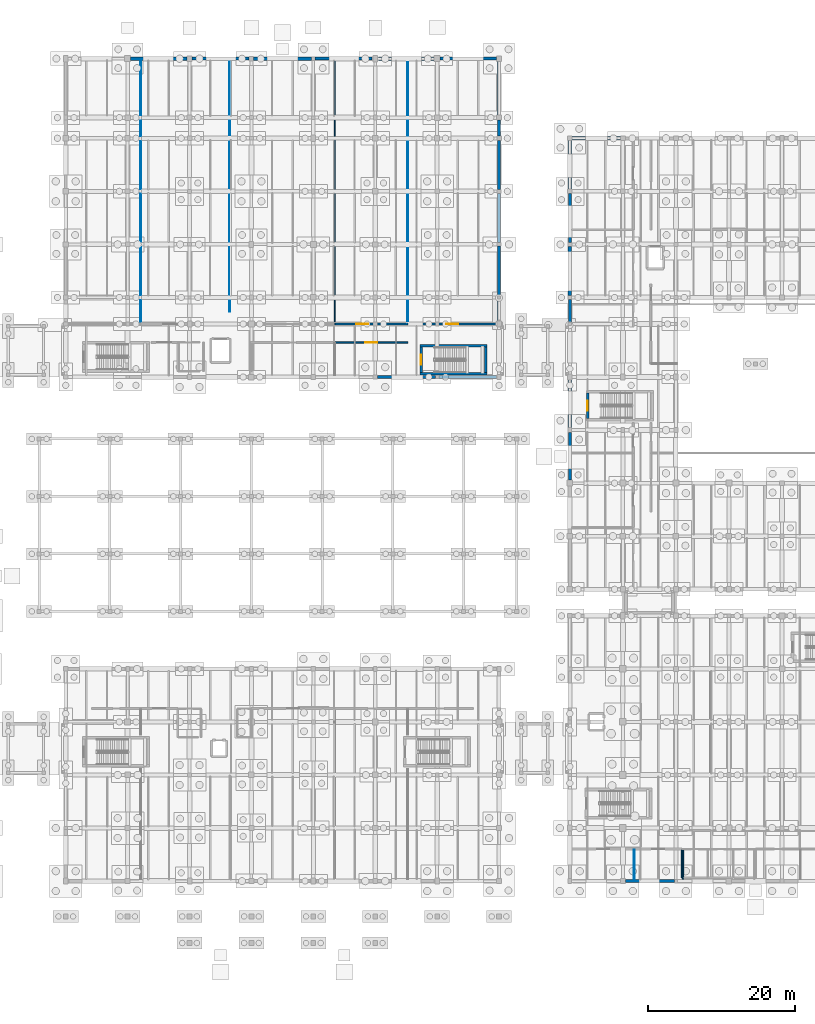
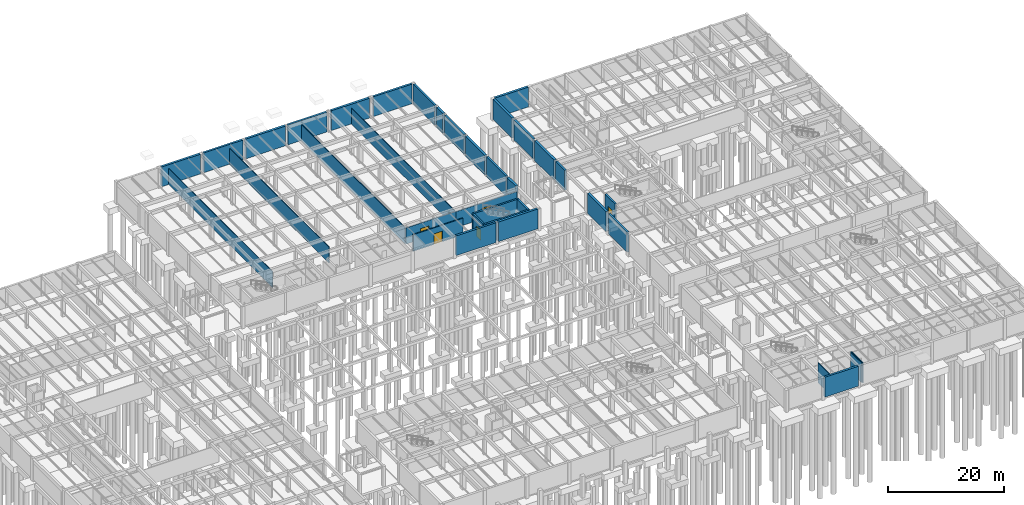
# One storey, part 46 of 63: 37 walls, 5 doors, 5 openings.
"""IFC4 building model written with IfcOpenShell, lengths in metres."""

from ifc_helpers import new_model, si_unit, direction, frame, frame_2d, origin, place, context, subcontext, project, spatial, rectangle, extrude, material, layer, layer_set, type_object, element, fill, save


model = new_model("IFC4")

# Units and contexts
model_context = context("Model", 3, precision=1e-05, world=origin(), true_north=direction((0.0, 1.0)))
body_context = subcontext(model_context, "Body", "Model", "MODEL_VIEW")
ifc_project = project(units=[si_unit("LENGTHUNIT", "METRE"), si_unit("AREAUNIT", "SQUARE_METRE"), si_unit("VOLUMEUNIT", "CUBIC_METRE"), si_unit("PLANEANGLEUNIT", "RADIAN"), si_unit("MASSUNIT", "GRAM", prefix="KILO")], contexts=[model_context])

# Site, building, storey
site_placement = place(None, origin())
site = spatial("IfcSite", under=ifc_project, at=site_placement, CompositionType="ELEMENT")
building_placement = place(site_placement, origin())
building = spatial("IfcBuilding", under=site, at=building_placement, Name="Mazaris Harbour Polytechnic", CompositionType="ELEMENT")
storey_placement = place(building_placement, frame((0.0, 0.0, -4.5)))
storey = spatial("IfcBuildingStorey", under=building, at=storey_placement, Name="B1", CompositionType="ELEMENT", Elevation=-4.5)

# Walls
ifc_material_1 = material(Name="Gypsum Board and Mineral Wool")
ifc_layer_1 = layer(ifc_material_1, 0.1201171875, Name="Gypsum Board and Mineral Wool")
ifc_layer_set_1 = layer_set([ifc_layer_1], Name="Gypsum Board and Mineral Wool")
wall_type_1 = type_object("IfcWallType", Name="Acoustic Stud Partition 120", PredefinedType="PARTITIONING", material=ifc_layer_set_1)
wall_1_placement = place(storey_placement, frame((64.197998046875, 82.919921875, 0.0), z_axis=(0.0, 0.0, 1.0), x_axis=(0.0, 1.0, 0.0)))
element("IfcWall", 1, at=wall_1_placement, inside=storey, type_object=wall_type_1, Name="V1 B1 Partition 12", PredefinedType="PARTITIONING", context=body_context, shape_type="SweptSolid", body=[
    extrude(rectangle(XDim=35.630126953125, YDim=0.1201171875, at=frame_2d((17.81494140625, 0.0))), origin(), (0.0, 0.0, 1.0), 3.35009765625),
])
wall_2_placement = place(storey_placement, frame((100.425048828125, 82.922607421875, 0.0), z_axis=(0.0, 0.0, 1.0), x_axis=(0.0, 1.0, 0.0)))
element("IfcWall", 2, at=wall_2_placement, inside=storey, type_object=wall_type_1, Name="V1 B1 Partition 18", PredefinedType="PARTITIONING", context=body_context, shape_type="SweptSolid", body=[
    extrude(rectangle(XDim=35.62744140625, YDim=0.1201171875, at=frame_2d((17.813720703125, 0.0))), origin(), (0.0, 0.0, 1.0), 3.35009765625),
])
ifc_material_2 = material(Name="Double Gypsum and Mineral Wool")
ifc_layer_2 = layer(ifc_material_2, 0.14990234375, Name="Double Gypsum and Mineral Wool")
ifc_layer_set_2 = layer_set([ifc_layer_2], Name="Double Gypsum and Mineral Wool")
wall_type_2 = type_object("IfcWallType", Name="Classroom Acoustic Partition 150", PredefinedType="PARTITIONING", material=ifc_layer_set_2)
wall_3_placement = place(storey_placement, frame((90.527099609375, 82.919921875, 0.0), z_axis=(0.0, 0.0, 1.0), x_axis=(0.0, 1.0, 0.0)))
element("IfcWall", 3, at=wall_3_placement, inside=storey, type_object=wall_type_2, Name="V1 B1 Partition 16", PredefinedType="PARTITIONING", context=body_context, shape_type="SweptSolid", body=[
    extrude(rectangle(XDim=35.630126953125, YDim=0.14990234375, at=frame_2d((17.81494140625, 0.0))), origin(), (0.0, 0.0, 1.0), 3.35009765625),
])
wall_4_placement = place(storey_placement, frame((137.760009765625, 7.449951171875, 0.0), z_axis=(0.0, 0.0, 1.0), x_axis=(0.0, 1.0, 0.0)))
element("IfcWall", 4, at=wall_4_placement, inside=storey, type_object=wall_type_2, Name="V2 B1 Partition 81", PredefinedType="PARTITIONING", context=body_context, shape_type="SweptSolid", body=[
    extrude(rectangle(XDim=3.97998046875, YDim=0.14990234375, at=frame_2d((1.989990234375, 0.0))), origin(), (0.0, 0.0, 1.0), 4.179931640625),
])

# Wall, opening, door
ifc_material_3 = material(Name="Concrete Masonry C30/37", Category="masonry")
ifc_layer_3 = layer(ifc_material_3, 0.22509765625, Name="Concrete Masonry C30/37")
ifc_layer_set_3 = layer_set([ifc_layer_3], Name="Concrete Masonry C30/37")
wall_type_3 = type_object("IfcWallType", Name="Plant Room Fire Wall 225", PredefinedType="STANDARD", material=ifc_layer_set_3)
wall_5_placement = place(storey_placement, frame((90.531982421875, 80.300048828125, 0.0), z_axis=(0.0, 0.0, 1.0), x_axis=(1.0, 0.0, 0.0)))
wall_5 = element("IfcWall", 5, at=wall_5_placement, inside=storey, type_object=wall_type_3, Name="V1 B1 Partition 10", PredefinedType="STANDARD", context=body_context, shape_type="SweptSolid", body=[
    extrude(rectangle(XDim=9.89306640625, YDim=0.22509765625, at=frame_2d((4.946533203125, 0.0))), origin(), (0.0, 0.0, 1.0), 3.5),
])
opening_1_placement = place(wall_5_placement, frame((4.12158203125, 0.0, 0.0)))
opening_1 = element("IfcOpeningElement", 6, at=opening_1_placement, cuts=wall_5, Name="Opening ID-06D", PredefinedType="OPENING", context=body_context, shape_type="SweptSolid", body=[
    extrude(rectangle(XDim=1.64990234375, YDim=2.25, at=frame_2d((0.824951171875, 1.125))), frame((0.0, 0.12255859375, 0.0), z_axis=(0.0, -1.0, 0.0), x_axis=(1.0, 0.0, 0.0)), (0.0, 0.0, 1.0), 0.2451171875),
])
ifc_material_4 = material(Name="Galvanised Steel S355", Category="steel")
door_type_1 = type_object("IfcDoorType", Name="Plant and Substation Double Door 1650x2250", OperationType="DOUBLE_DOOR_SINGLE_SWING", PredefinedType="DOOR", material=ifc_material_4)
door_1_placement = place(opening_1_placement, origin())
door_1 = element("IfcDoor", 7, at=door_1_placement, inside=storey, type_object=door_type_1, Name="ID-0004", OperationType="DOUBLE_DOOR_SINGLE_SWING", OverallHeight=2.25, OverallWidth=1.64990234375, PredefinedType="DOOR", context=body_context, shape_type="SweptSolid", body=[
    extrude(rectangle(XDim=1.64990234375, YDim=2.25, at=frame_2d((0.824951171875, 1.125))), frame((0.0, 0.02490234375, 0.0), z_axis=(0.0, -1.0, 0.0), x_axis=(1.0, 0.0, 0.0)), (0.0, 0.0, 1.0), 0.050048828125),
])
fill(opening_1, door_1)

wall_6_placement = place(storey_placement, frame((90.531982421875, 82.800048828125, 0.0), z_axis=(0.0, 0.0, 1.0), x_axis=(1.0, 0.0, 0.0)))
wall_6 = element("IfcWall", 8, at=wall_6_placement, inside=storey, type_object=wall_type_3, Name="V1 B1 Partition 17", PredefinedType="STANDARD", context=body_context, shape_type="SweptSolid", body=[
    extrude(rectangle(XDim=9.89306640625, YDim=0.22509765625, at=frame_2d((4.946533203125, 0.0))), origin(), (0.0, 0.0, 1.0), 3.39990234375),
])
opening_2_placement = place(wall_6_placement, frame((2.885009765625, 0.0, 0.0)))
opening_2 = element("IfcOpeningElement", 9, at=opening_2_placement, cuts=wall_6, Name="Opening ID-06D", PredefinedType="OPENING", context=body_context, shape_type="SweptSolid", body=[
    extrude(rectangle(XDim=1.64990234375, YDim=2.25, at=frame_2d((0.824951171875, 1.125))), frame((0.0, 0.12255859375, 0.0), z_axis=(0.0, -1.0, 0.0), x_axis=(1.0, 0.0, 0.0)), (0.0, 0.0, 1.0), 0.2451171875),
])
door_2_placement = place(opening_2_placement, origin())
door_2 = element("IfcDoor", 10, at=door_2_placement, inside=storey, type_object=door_type_1, Name="ID-0008", OperationType="DOUBLE_DOOR_SINGLE_SWING", OverallHeight=2.25, OverallWidth=1.64990234375, PredefinedType="DOOR", context=body_context, shape_type="SweptSolid", body=[
    extrude(rectangle(XDim=1.64990234375, YDim=2.25, at=frame_2d((0.824951171875, 1.125))), frame((0.0, 0.02490234375, 0.0), z_axis=(0.0, -1.0, 0.0), x_axis=(1.0, 0.0, 0.0)), (0.0, 0.0, 1.0), 0.050048828125),
])
fill(opening_2, door_2)

wall_7_placement = place(storey_placement, frame((100.429931640625, 82.800048828125, 0.0), z_axis=(0.0, 0.0, 1.0), x_axis=(1.0, 0.0, 0.0)))
wall_7 = element("IfcWall", 11, at=wall_7_placement, inside=storey, type_object=wall_type_3, Name="V1 B1 Partition 19", PredefinedType="STANDARD", context=body_context, shape_type="SweptSolid", body=[
    extrude(rectangle(XDim=12.071044921875, YDim=0.22509765625, at=frame_2d((6.03564453125, 0.0))), origin(), (0.0, 0.0, 1.0), 3.35009765625),
])
opening_3_placement = place(wall_7_placement, frame((5.21044921875, 0.0, 0.0)))
opening_3 = element("IfcOpeningElement", 12, at=opening_3_placement, cuts=wall_7, Name="Opening ID-06D", PredefinedType="OPENING", context=body_context, shape_type="SweptSolid", body=[
    extrude(rectangle(XDim=1.64990234375, YDim=2.25, at=frame_2d((0.824951171875, 1.125))), frame((0.0, 0.12255859375, 0.0), z_axis=(0.0, -1.0, 0.0), x_axis=(1.0, 0.0, 0.0)), (0.0, 0.0, 1.0), 0.2451171875),
])
door_3_placement = place(opening_3_placement, origin())
door_3 = element("IfcDoor", 13, at=door_3_placement, inside=storey, type_object=door_type_1, Name="ID-0009", OperationType="DOUBLE_DOOR_SINGLE_SWING", OverallHeight=2.25, OverallWidth=1.64990234375, PredefinedType="DOOR", context=body_context, shape_type="SweptSolid", body=[
    extrude(rectangle(XDim=1.64990234375, YDim=2.25, at=frame_2d((0.824951171875, 1.125))), frame((0.0, 0.02490234375, 0.0), z_axis=(0.0, -1.0, 0.0), x_axis=(1.0, 0.0, 0.0)), (0.0, 0.0, 1.0), 0.050048828125),
])
fill(opening_3, door_3)

# Walls
ifc_material_5 = material(Name="Concrete C35/45", Category="concrete")
ifc_layer_4 = layer(ifc_material_5, 0.39990234375, Name="Concrete C35/45")
ifc_layer_set_4 = layer_set([ifc_layer_4], Name="Concrete C35/45")
wall_type_4 = type_object("IfcWallType", Name="RC Basement Retaining Wall 400", PredefinedType="USERDEFINED", material=ifc_layer_set_4)
wall_8_placement = place(storey_placement, frame((96.27490234375, 75.60009765625, 0.0), z_axis=(0.0, 0.0, 1.0), x_axis=(1.0, 0.0, 0.0)))
element("IfcWall", 14, at=wall_8_placement, inside=storey, type_object=wall_type_4, Name="V1 B1 Retaining Wall 6", ObjectType="RETAINING WALL", PredefinedType="USERDEFINED", context=body_context, shape_type="SweptSolid", body=[
    extrude(rectangle(XDim=7.900146484375, YDim=0.39990234375, at=frame_2d((3.9501953125, 0.0))), origin(), (0.0, 0.0, 1.0), 4.14990234375),
])
wall_9_placement = place(storey_placement, frame((71.14990234375, 118.800048828125, 0.0), z_axis=(0.0, 0.0, 1.0), x_axis=(1.0, 0.0, 0.0)))
element("IfcWall", 15, at=wall_9_placement, inside=storey, type_object=wall_type_4, Name="V1 B1 Retaining Wall 10", ObjectType="RETAINING WALL", PredefinedType="USERDEFINED", context=body_context, shape_type="SweptSolid", body=[
    extrude(rectangle(XDim=7.75, YDim=0.39990234375, at=frame_2d((3.875, 0.0))), origin(), (0.0, 0.0, 1.0), 4.14990234375),
])
wall_10_placement = place(storey_placement, frame((87.85009765625, 118.800048828125, 0.0), z_axis=(0.0, 0.0, 1.0), x_axis=(1.0, 0.0, 0.0)))
element("IfcWall", 16, at=wall_10_placement, inside=storey, type_object=wall_type_4, Name="V1 B1 Retaining Wall 12", ObjectType="RETAINING WALL", PredefinedType="USERDEFINED", context=body_context, shape_type="SweptSolid", body=[
    extrude(rectangle(XDim=7.724853515625, YDim=0.39990234375, at=frame_2d((3.8623046875, 0.0))), origin(), (0.0, 0.0, 1.0), 4.14990234375),
])
wall_11_placement = place(storey_placement, frame((104.800048828125, 118.800048828125, 0.0), z_axis=(0.0, 0.0, 1.0), x_axis=(1.0, 0.0, 0.0)))
element("IfcWall", 17, at=wall_11_placement, inside=storey, type_object=wall_type_4, Name="V1 B1 Retaining Wall 14", ObjectType="RETAINING WALL", PredefinedType="USERDEFINED", context=body_context, shape_type="SweptSolid", body=[
    extrude(rectangle(XDim=7.64990234375, YDim=0.39990234375, at=frame_2d((3.824951171875, 0.0))), origin(), (0.0, 0.0, 1.0), 4.14990234375),
])
wall_12_placement = place(storey_placement, frame((112.800048828125, 86.625, 0.0), z_axis=(0.0, 0.0, 1.0), x_axis=(0.0, 1.0, 0.0)))
element("IfcWall", 18, at=wall_12_placement, inside=storey, type_object=wall_type_4, Name="V1 B1 Retaining Wall 22", ObjectType="RETAINING WALL", PredefinedType="USERDEFINED", context=body_context, shape_type="SweptSolid", body=[
    extrude(rectangle(XDim=6.72509765625, YDim=0.39990234375, at=frame_2d((3.362548828125, 0.0))), origin(), (0.0, 0.0, 1.0), 4.14990234375),
])
wall_13_placement = place(storey_placement, frame((112.800048828125, 101.074951171875, 0.0), z_axis=(0.0, 0.0, 1.0), x_axis=(0.0, 1.0, 0.0)))
element("IfcWall", 19, at=wall_13_placement, inside=storey, type_object=wall_type_4, Name="V1 B1 Retaining Wall 24", ObjectType="RETAINING WALL", PredefinedType="USERDEFINED", context=body_context, shape_type="SweptSolid", body=[
    extrude(rectangle(XDim=6.625, YDim=0.39990234375, at=frame_2d((3.3125, 0.0))), origin(), (0.0, 0.0, 1.0), 4.14990234375),
])
wall_14_placement = place(storey_placement, frame((112.800048828125, 111.125, 0.0), z_axis=(0.0, 0.0, 1.0), x_axis=(0.0, 1.0, 0.0)))
element("IfcWall", 20, at=wall_14_placement, inside=storey, type_object=wall_type_4, Name="V1 B1 Retaining Wall 26", ObjectType="RETAINING WALL", PredefinedType="USERDEFINED", context=body_context, shape_type="SweptSolid", body=[
    extrude(rectangle(XDim=7.324951171875, YDim=0.39990234375, at=frame_2d((3.66259765625, 0.0))), origin(), (0.0, 0.0, 1.0), 4.14990234375),
])
wall_15_placement = place(storey_placement, frame((129.925048828125, 7.199951171875, 0.0), z_axis=(0.0, 0.0, 1.0), x_axis=(1.0, 0.0, 0.0)))
element("IfcWall", 21, at=wall_15_placement, inside=storey, type_object=wall_type_4, Name="V2 B1 Retaining Wall 28", ObjectType="RETAINING WALL", PredefinedType="USERDEFINED", context=body_context, shape_type="SweptSolid", body=[
    extrude(rectangle(XDim=6.64990234375, YDim=0.39990234375, at=frame_2d((3.324951171875, 0.0))), origin(), (0.0, 0.0, 1.0), 4.179931640625),
])
wall_16_placement = place(storey_placement, frame((122.39990234375, 61.60009765625, 0.0), z_axis=(0.0, 0.0, 1.0), x_axis=(0.0, 1.0, 0.0)))
element("IfcWall", 22, at=wall_16_placement, inside=storey, type_object=wall_type_4, Name="V5 B1 Retaining Wall 118", ObjectType="RETAINING WALL", PredefinedType="USERDEFINED", context=body_context, shape_type="SweptSolid", body=[
    extrude(rectangle(XDim=6.449951171875, YDim=0.39990234375, at=frame_2d((3.22509765625, 0.0))), origin(), (0.0, 0.0, 1.0), 4.179931640625),
])
wall_17_placement = place(storey_placement, frame((122.39990234375, 83.02490234375, 0.0), z_axis=(0.0, 0.0, 1.0), x_axis=(0.0, 1.0, 0.0)))
element("IfcWall", 23, at=wall_17_placement, inside=storey, type_object=wall_type_4, Name="V5 B1 Retaining Wall 120", ObjectType="RETAINING WALL", PredefinedType="USERDEFINED", context=body_context, shape_type="SweptSolid", body=[
    extrude(rectangle(XDim=3.125, YDim=0.39990234375, at=frame_2d((1.5625, 0.0))), origin(), (0.0, 0.0, 1.0), 4.179931640625),
])
wall_18_placement = place(storey_placement, frame((122.39990234375, 93.875, 0.0), z_axis=(0.0, 0.0, 1.0), x_axis=(0.0, 1.0, 0.0)))
element("IfcWall", 24, at=wall_18_placement, inside=storey, type_object=wall_type_4, Name="V5 B1 Retaining Wall 122", ObjectType="RETAINING WALL", PredefinedType="USERDEFINED", context=body_context, shape_type="SweptSolid", body=[
    extrude(rectangle(XDim=6.625, YDim=0.39990234375, at=frame_2d((3.3125, 0.0))), origin(), (0.0, 0.0, 1.0), 4.179931640625),
])
ifc_material_6 = material(Name="Concrete C35/45", Category="concrete")
ifc_layer_5 = layer(ifc_material_6, 0.449951171875, Name="Concrete C35/45")
ifc_layer_set_5 = layer_set([ifc_layer_5], Name="Concrete C35/45")
wall_type_5 = type_object("IfcWallType", Name="RC Basement Retaining Wall 450", PredefinedType="USERDEFINED", material=ifc_layer_set_5)
wall_19_placement = place(storey_placement, frame((104.625, 75.60009765625, 0.0), z_axis=(0.0, 0.0, 1.0), x_axis=(1.0, 0.0, 0.0)))
element("IfcWall", 25, at=wall_19_placement, inside=storey, type_object=wall_type_5, Name="V1 B1 Retaining Wall 7", ObjectType="RETAINING WALL", PredefinedType="USERDEFINED", context=body_context, shape_type="SweptSolid", body=[
    extrude(rectangle(XDim=7.824951171875, YDim=0.449951171875, at=frame_2d((3.91259765625, 0.0))), origin(), (0.0, 0.0, 1.0), 4.14990234375),
])
wall_20_placement = place(storey_placement, frame((62.800048828125, 118.800048828125, 0.0), z_axis=(0.0, 0.0, 1.0), x_axis=(1.0, 0.0, 0.0)))
element("IfcWall", 26, at=wall_20_placement, inside=storey, type_object=wall_type_5, Name="V1 B1 Retaining Wall 9", ObjectType="RETAINING WALL", PredefinedType="USERDEFINED", context=body_context, shape_type="SweptSolid", body=[
    extrude(rectangle(XDim=7.64990234375, YDim=0.449951171875, at=frame_2d((3.824951171875, 0.0))), origin(), (0.0, 0.0, 1.0), 4.14990234375),
])
wall_21_placement = place(storey_placement, frame((79.5, 118.800048828125, 0.0), z_axis=(0.0, 0.0, 1.0), x_axis=(1.0, 0.0, 0.0)))
element("IfcWall", 27, at=wall_21_placement, inside=storey, type_object=wall_type_5, Name="V1 B1 Retaining Wall 11", ObjectType="RETAINING WALL", PredefinedType="USERDEFINED", context=body_context, shape_type="SweptSolid", body=[
    extrude(rectangle(XDim=7.85009765625, YDim=0.449951171875, at=frame_2d((3.925048828125, 0.0))), origin(), (0.0, 0.0, 1.0), 4.14990234375),
])
wall_22_placement = place(storey_placement, frame((96.425048828125, 118.800048828125, 0.0), z_axis=(0.0, 0.0, 1.0), x_axis=(1.0, 0.0, 0.0)))
element("IfcWall", 28, at=wall_22_placement, inside=storey, type_object=wall_type_5, Name="V1 B1 Retaining Wall 13", ObjectType="RETAINING WALL", PredefinedType="USERDEFINED", context=body_context, shape_type="SweptSolid", body=[
    extrude(rectangle(XDim=7.574951171875, YDim=0.449951171875, at=frame_2d((3.78759765625, 0.0))), origin(), (0.0, 0.0, 1.0), 4.14990234375),
])
wall_23_placement = place(storey_placement, frame((112.800048828125, 83.22509765625, 0.0), z_axis=(0.0, 0.0, 1.0), x_axis=(0.0, 1.0, 0.0)))
element("IfcWall", 29, at=wall_23_placement, inside=storey, type_object=wall_type_5, Name="V1 B1 Retaining Wall 21", ObjectType="RETAINING WALL", PredefinedType="USERDEFINED", context=body_context, shape_type="SweptSolid", body=[
    extrude(rectangle(XDim=2.949951171875, YDim=0.449951171875, at=frame_2d((1.47509765625, 0.0))), origin(), (0.0, 0.0, 1.0), 4.14990234375),
])
wall_24_placement = place(storey_placement, frame((112.800048828125, 93.85009765625, 0.0), z_axis=(0.0, 0.0, 1.0), x_axis=(0.0, 1.0, 0.0)))
element("IfcWall", 30, at=wall_24_placement, inside=storey, type_object=wall_type_5, Name="V1 B1 Retaining Wall 23", ObjectType="RETAINING WALL", PredefinedType="USERDEFINED", context=body_context, shape_type="SweptSolid", body=[
    extrude(rectangle(XDim=6.6748046875, YDim=0.449951171875, at=frame_2d((3.33740234375, 0.0))), origin(), (0.0, 0.0, 1.0), 4.14990234375),
])
wall_25_placement = place(storey_placement, frame((112.800048828125, 108.300048828125, 0.0), z_axis=(0.0, 0.0, 1.0), x_axis=(0.0, 1.0, 0.0)))
element("IfcWall", 31, at=wall_25_placement, inside=storey, type_object=wall_type_5, Name="V1 B1 Retaining Wall 25", ObjectType="RETAINING WALL", PredefinedType="USERDEFINED", context=body_context, shape_type="SweptSolid", body=[
    extrude(rectangle(XDim=2.175048828125, YDim=0.449951171875, at=frame_2d((1.08740234375, 0.0))), origin(), (0.0, 0.0, 1.0), 4.14990234375),
])
wall_26_placement = place(storey_placement, frame((122.72509765625, 108.0, 0.0), z_axis=(0.0, 0.0, 1.0), x_axis=(1.0, 0.0, 0.0)))
element("IfcWall", 32, at=wall_26_placement, inside=storey, type_object=wall_type_5, Name="V5 B1 Retaining Wall 109", ObjectType="RETAINING WALL", PredefinedType="USERDEFINED", context=body_context, shape_type="SweptSolid", body=[
    extrude(rectangle(XDim=6.5498046875, YDim=0.449951171875, at=frame_2d((3.27490234375, 0.0))), origin(), (0.0, 0.0, 1.0), 4.179931640625),
])
wall_27_placement = place(storey_placement, frame((122.39990234375, 68.75, 0.0), z_axis=(0.0, 0.0, 1.0), x_axis=(0.0, 1.0, 0.0)))
element("IfcWall", 33, at=wall_27_placement, inside=storey, type_object=wall_type_5, Name="V5 B1 Retaining Wall 119", ObjectType="RETAINING WALL", PredefinedType="USERDEFINED", context=body_context, shape_type="SweptSolid", body=[
    extrude(rectangle(XDim=6.425048828125, YDim=0.449951171875, at=frame_2d((3.21240234375, 0.0))), origin(), (0.0, 0.0, 1.0), 4.179931640625),
])
wall_28_placement = place(storey_placement, frame((122.39990234375, 86.64990234375, 0.0), z_axis=(0.0, 0.0, 1.0), x_axis=(0.0, 1.0, 0.0)))
element("IfcWall", 34, at=wall_28_placement, inside=storey, type_object=wall_type_5, Name="V5 B1 Retaining Wall 121", ObjectType="RETAINING WALL", PredefinedType="USERDEFINED", context=body_context, shape_type="SweptSolid", body=[
    extrude(rectangle(XDim=6.675048828125, YDim=0.449951171875, at=frame_2d((3.33740234375, 0.0))), origin(), (0.0, 0.0, 1.0), 4.179931640625),
])
wall_29_placement = place(storey_placement, frame((122.39990234375, 101.10009765625, 0.0), z_axis=(0.0, 0.0, 1.0), x_axis=(0.0, 1.0, 0.0)))
element("IfcWall", 35, at=wall_29_placement, inside=storey, type_object=wall_type_5, Name="V5 B1 Retaining Wall 123", ObjectType="RETAINING WALL", PredefinedType="USERDEFINED", context=body_context, shape_type="SweptSolid", body=[
    extrude(rectangle(XDim=6.574951171875, YDim=0.449951171875, at=frame_2d((3.28759765625, 0.0))), origin(), (0.0, 0.0, 1.0), 4.179931640625),
])

# Wall, opening, door
ifc_material_7 = material(Name="Concrete C40/50", Category="concrete")
ifc_layer_6 = layer(ifc_material_7, 0.324951171875, Name="Concrete C40/50")
ifc_layer_set_6 = layer_set([ifc_layer_6], Name="Concrete C40/50")
wall_type_6 = type_object("IfcWallType", Name="RC Core Shear Wall 325", PredefinedType="SHEAR", material=ifc_layer_set_6)
wall_30_placement = place(storey_placement, frame((124.824951171875, 73.449951171875, 0.0), z_axis=(0.0, 0.0, 1.0), x_axis=(0.0, -1.0, 0.0)))
wall_30 = element("IfcWall", 36, at=wall_30_placement, inside=storey, type_object=wall_type_6, Name="Core ST09 B1 Entrance Shear Wall", PredefinedType="SHEAR", context=body_context, shape_type="SweptSolid", body=[
    extrude(rectangle(XDim=3.449951171875, YDim=0.324951171875, at=frame_2d((1.72509765625, 0.0))), origin(), (0.0, 0.0, 1.0), 4.179931640625),
])
opening_4_placement = place(wall_30_placement, frame((1.034912109375, 0.0, 0.0)))
opening_4 = element("IfcOpeningElement", 37, at=opening_4_placement, cuts=wall_30, Name="Opening SD-01", PredefinedType="OPENING", context=body_context, shape_type="SweptSolid", body=[
    extrude(rectangle(XDim=1.3798828125, YDim=2.199951171875, at=frame_2d((0.68994140625, 1.10009765625))), frame((0.0, 0.17236328125, 0.0), z_axis=(0.0, -1.0, 0.0), x_axis=(1.0, 0.0, 0.0)), (0.0, 0.0, 1.0), 0.344970703125),
])
ifc_material_8 = material(Name="Glulam Timber and Fire Glass", Category="wood")
door_type_2 = type_object("IfcDoorType", Name="Protected Stair Lobby Fire Door 1380x2200", OperationType="DOUBLE_DOOR_SINGLE_SWING", PredefinedType="DOOR", material=ifc_material_8)
door_4_placement = place(opening_4_placement, origin())
door_4 = element("IfcDoor", 38, at=door_4_placement, inside=storey, type_object=door_type_2, Name="SD-042", OperationType="DOUBLE_DOOR_SINGLE_SWING", OverallHeight=2.199951171875, OverallWidth=1.3798828125, PredefinedType="DOOR", context=body_context, shape_type="SweptSolid", body=[
    extrude(rectangle(XDim=1.3798828125, YDim=2.199951171875, at=frame_2d((0.68994140625, 1.10009765625))), frame((0.0, 0.02490234375, 0.0), z_axis=(0.0, -1.0, 0.0), x_axis=(1.0, 0.0, 0.0)), (0.0, 0.0, 1.0), 0.050048828125),
])
fill(opening_4, door_4)

# Walls
ifc_material_9 = material(Name="Concrete C40/50", Category="concrete")
ifc_layer_7 = layer(ifc_material_9, 0.35009765625, Name="Concrete C40/50")
ifc_layer_set_7 = layer_set([ifc_layer_7], Name="Concrete C40/50")
wall_type_7 = type_object("IfcWallType", Name="RC Core Shear Wall 350", PredefinedType="SHEAR", material=ifc_layer_set_7)
for number, where, z_axis, x_axis, name in (
    (39, (102.050048828125, 76.02490234375, 0.0), (0.0, 0.0, 1.0), (1.0, 0.0, 0.0), "Core ST02 B1 Shear Wall S"),
    (40, (111.14990234375, 79.824951171875, 0.0), (0.0, 0.0, 1.0), (-1.0, 0.0, 0.0), "Core ST02 B1 Shear Wall N"),
):
    element("IfcWall", number, at=place(storey_placement, frame(where, z_axis=z_axis, x_axis=x_axis)), inside=storey, type_object=wall_type_7, Name=name, PredefinedType="SHEAR", context=body_context, shape_type="SweptSolid", body=[
        extrude(rectangle(XDim=9.099853515625, YDim=0.35009765625, at=frame_2d((4.5498046875, 0.0))), origin(), (0.0, 0.0, 1.0), 4.14990234375),
    ])
wall_31_placement = place(storey_placement, frame((110.97509765625, 76.199951171875, 0.0), z_axis=(0.0, 0.0, 1.0), x_axis=(0.0, 1.0, 0.0)))
element("IfcWall", 41, at=wall_31_placement, inside=storey, type_object=wall_type_7, Name="Core ST02 B1 Shear Wall E", PredefinedType="SHEAR", context=body_context, shape_type="SweptSolid", body=[
    extrude(rectangle(XDim=3.449951171875, YDim=0.35009765625, at=frame_2d((1.72509765625, 0.0))), origin(), (0.0, 0.0, 1.0), 4.14990234375),
])

# Wall, opening, door
wall_32_placement = place(storey_placement, frame((102.22509765625, 79.64990234375, 0.0), z_axis=(0.0, 0.0, 1.0), x_axis=(0.0, -1.0, 0.0)))
wall_32 = element("IfcWall", 42, at=wall_32_placement, inside=storey, type_object=wall_type_7, Name="Core ST02 B1 Entrance Shear Wall", PredefinedType="SHEAR", context=body_context, shape_type="SweptSolid", body=[
    extrude(rectangle(XDim=3.449951171875, YDim=0.35009765625, at=frame_2d((1.72509765625, 0.0))), origin(), (0.0, 0.0, 1.0), 4.14990234375),
])
opening_5_placement = place(wall_32_placement, frame((1.034912109375, 0.0, 0.0)))
opening_5 = element("IfcOpeningElement", 43, at=opening_5_placement, cuts=wall_32, Name="Opening SD-01", PredefinedType="OPENING", context=body_context, shape_type="SweptSolid", body=[
    extrude(rectangle(XDim=1.3798828125, YDim=2.199951171875, at=frame_2d((0.68994140625, 1.10009765625))), frame((0.0, 0.18505859375, 0.0), z_axis=(0.0, -1.0, 0.0), x_axis=(1.0, 0.0, 0.0)), (0.0, 0.0, 1.0), 0.3701171875),
])
door_5_placement = place(opening_5_placement, origin())
door_5 = element("IfcDoor", 44, at=door_5_placement, inside=storey, type_object=door_type_2, Name="SD-005", OperationType="DOUBLE_DOOR_SINGLE_SWING", OverallHeight=2.199951171875, OverallWidth=1.3798828125, PredefinedType="DOOR", context=body_context, shape_type="SweptSolid", body=[
    extrude(rectangle(XDim=1.3798828125, YDim=2.199951171875, at=frame_2d((0.68994140625, 1.10009765625))), frame((0.0, 0.02490234375, 0.0), z_axis=(0.0, -1.0, 0.0), x_axis=(1.0, 0.0, 0.0)), (0.0, 0.0, 1.0), 0.050048828125),
])
fill(opening_5, door_5)

# Walls
ifc_material_10 = material(Name="Moisture-Resistant Gypsum and Steel Stud", Category="steel")
ifc_layer_8 = layer(ifc_material_10, 0.14501953125, Name="Moisture-Resistant Gypsum and Steel Stud")
ifc_layer_set_8 = layer_set([ifc_layer_8], Name="Moisture-Resistant Gypsum and Steel Stud")
wall_type_8 = type_object("IfcWallType", Name="Sanitary Plumbing Wall 145", PredefinedType="PLUMBINGWALL", material=ifc_layer_set_8)
wall_33_placement = place(storey_placement, frame((137.60009765625, 7.64990234375, 0.0), z_axis=(0.0, 0.0, 1.0), x_axis=(0.0, 1.0, 0.0)))
element("IfcWall", 45, at=wall_33_placement, inside=storey, type_object=wall_type_8, Name="V2 B1 Partition 72", PredefinedType="PLUMBINGWALL", context=body_context, shape_type="SweptSolid", body=[
    extrude(rectangle(XDim=3.780029296875, YDim=0.14501953125, at=frame_2d((1.89013671875, 0.0))), origin(), (0.0, 0.0, 1.0), 4.179931640625),
])
ifc_material_11 = material(Name="Gypsum Board and Mineral Wool")
ifc_layer_9 = layer(ifc_material_11, 0.135009765625, Name="Gypsum Board and Mineral Wool")
ifc_layer_set_9 = layer_set([ifc_layer_9], Name="Gypsum Board and Mineral Wool")
wall_type_9 = type_object("IfcWallType", Name="Studio Partition Wall 135", PredefinedType="PARTITIONING", material=ifc_layer_set_9)
wall_34_placement = place(storey_placement, frame((76.27392578125, 84.43994140625, 0.0), z_axis=(0.0, 0.0, 1.0), x_axis=(0.0, 1.0, 0.0)))
element("IfcWall", 46, at=wall_34_placement, inside=storey, type_object=wall_type_9, Name="V1 B1 Partition 14", PredefinedType="PARTITIONING", context=body_context, shape_type="SweptSolid", body=[
    extrude(rectangle(XDim=34.110107421875, YDim=0.135009765625, at=frame_2d((17.05517578125, 0.0))), origin(), (0.0, 0.0, 1.0), 3.35009765625),
])
wall_35_placement = place(storey_placement, frame((131.1689453125, 7.449951171875, 0.0), z_axis=(0.0, 0.0, 1.0), x_axis=(0.0, 1.0, 0.0)))
element("IfcWall", 47, at=wall_35_placement, inside=storey, type_object=wall_type_9, Name="V2 B1 Partition 79", PredefinedType="PARTITIONING", context=body_context, shape_type="SweptSolid", body=[
    extrude(rectangle(XDim=3.9775390625, YDim=0.135009765625, at=frame_2d((1.98876953125, 0.0))), origin(), (0.0, 0.0, 1.0), 4.179931640625),
])

save(model, "model.ifc")
